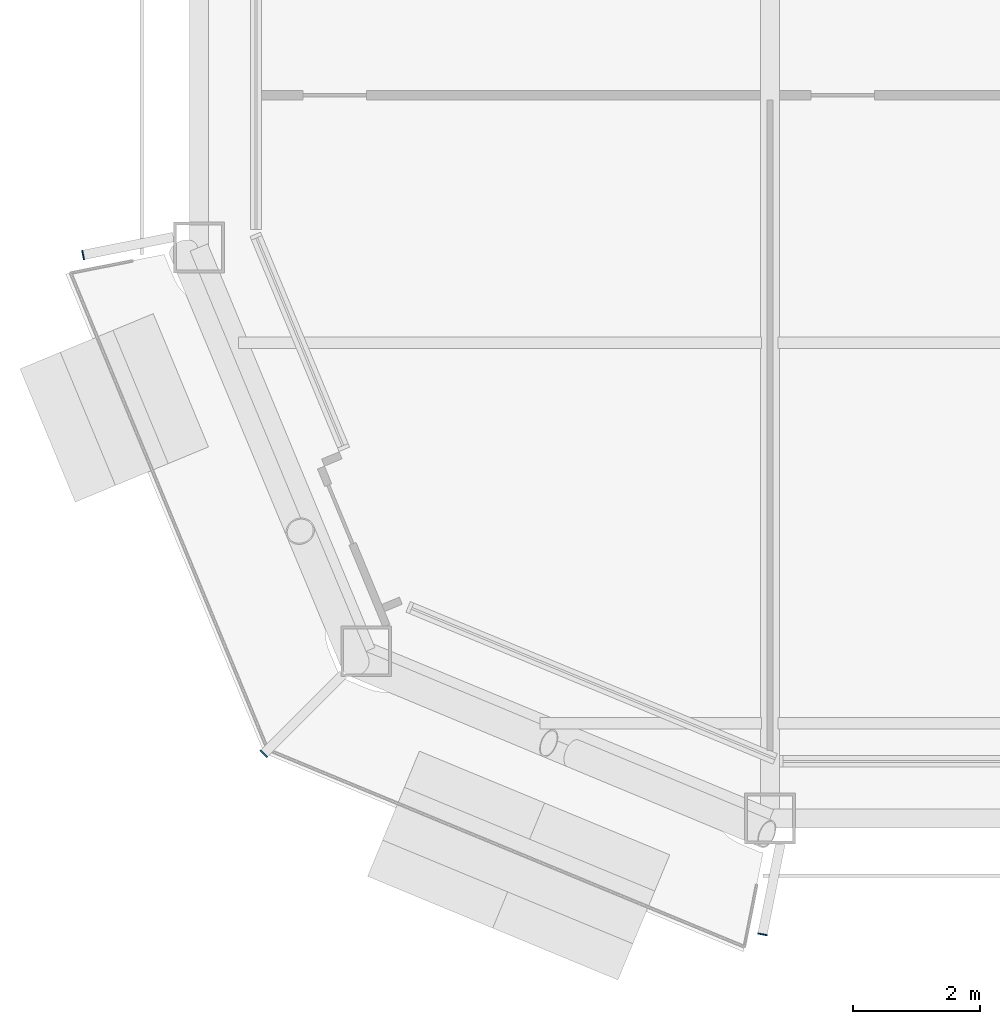
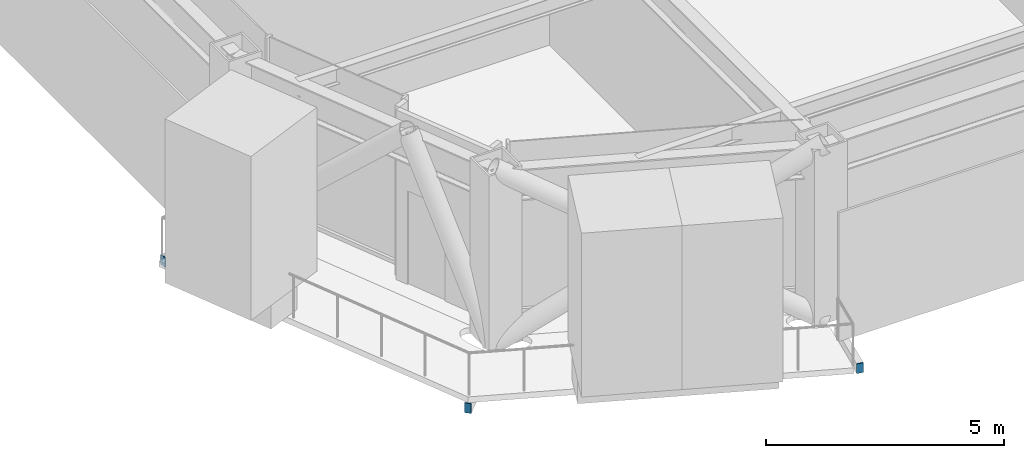
# One storey, part 17 of 23: 3 discrete accessories.
"""IFC4 building model written with IfcOpenShell, lengths in metres."""

from ifc_helpers import new_model, si_unit, direction, frame, origin, origin_2d, place, context, subcontext, project, spatial, rectangle, extrude, material, layer, layer_set, type_object, element, save


model = new_model("IFC4")

# Units and contexts
model_context = context("Model", 3, precision=1e-05, world=origin(), true_north=direction((0.0, 1.0)))
body_context = subcontext(model_context, "Body", "Model", "MODEL_VIEW")
ifc_project = project(units=[si_unit("LENGTHUNIT", "METRE"), si_unit("AREAUNIT", "SQUARE_METRE"), si_unit("VOLUMEUNIT", "CUBIC_METRE"), si_unit("PLANEANGLEUNIT", "RADIAN"), si_unit("MASSUNIT", "GRAM", prefix="KILO")], contexts=[model_context])

# Site, building, storey
site_placement = place(None, origin())
site = spatial("IfcSite", under=ifc_project, at=site_placement, CompositionType="ELEMENT")
building_placement = place(site_placement, origin())
building = spatial("IfcBuilding", under=site, at=building_placement, Name="Siwar Civic Tower", CompositionType="ELEMENT")
storey_placement = place(building_placement, frame((0.0, 0.0, 269.199951171875)))
storey = spatial("IfcBuildingStorey", under=building, at=storey_placement, Name="L58", CompositionType="ELEMENT", Elevation=269.199951171875)

# Discrete accessories
ifc_material = material(Name="Steel S355", Category="steel")
ifc_layer = layer(ifc_material, 0.02001953125)
ifc_layer_set = layer_set([ifc_layer], Name="Steel S355")
discrete_accessory_type = type_object("IfcDiscreteAccessoryType", Name="STR-END-CAP", PredefinedType="USERDEFINED", material=ifc_layer_set)
for number, where, z_axis, x_axis, name in (
    (1, (-28.8251953125, -18.118408203125, -0.39990234375), (0.0, 0.0, 1.0), (-0.980785280468, -0.195090321691, 0.0), "End cap plate Balcony cantilever beam SW 1"),
    (2, (-25.978271484375, -25.978271484375, -0.39990234375), (0.0, 0.0, 1.0), (-0.707106781187, -0.707106781187, 0.0), "End cap plate Balcony cantilever beam SW 2"),
    (3, (-18.118408203125, -28.8251953125, -0.39990234375), (0.0, 0.0, 1.0), (-0.195090321691, -0.980785280468, 0.0), "End cap plate Balcony cantilever beam SW 3"),
):
    element("IfcDiscreteAccessory", number, at=place(storey_placement, frame(where, z_axis=z_axis, x_axis=x_axis)), inside=storey, type_object=discrete_accessory_type, Name=name, ObjectType="END CAP PLATE", PredefinedType="USERDEFINED", context=body_context, shape_type="SweptSolid", body=[
        extrude(rectangle(XDim=0.02001953125, YDim=0.14990234375, at=origin_2d()), origin(), (0.0, 0.0, 1.0), 0.25),
    ])

save(model, "model.ifc")
